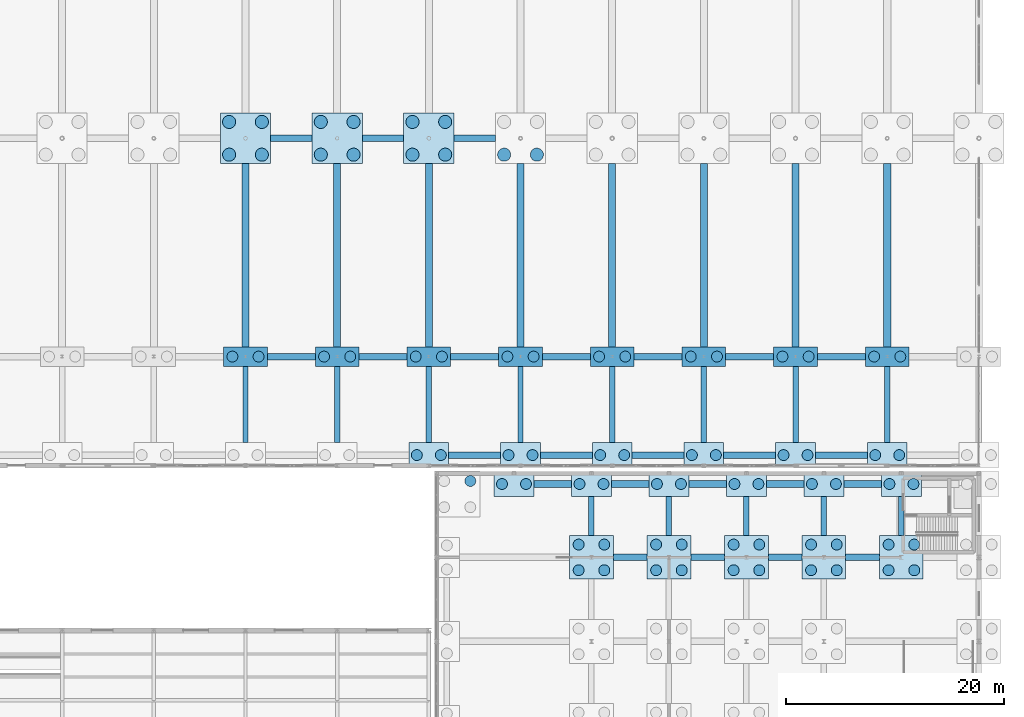
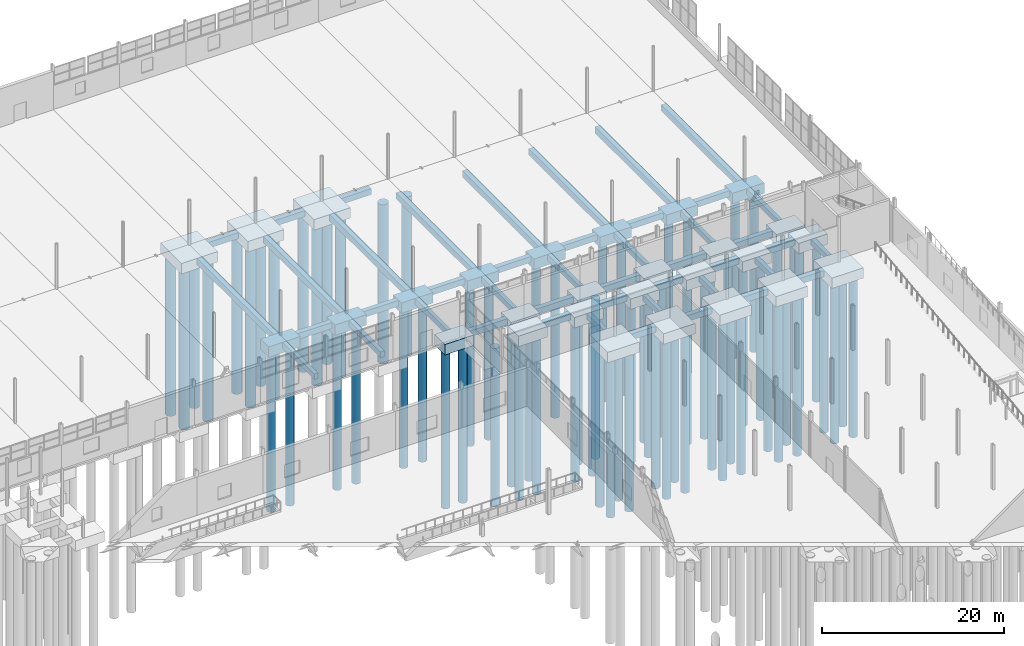
# One storey, part 9 of 139: 75 piles, 73 footings.
"""IFC4 building model written with IfcOpenShell, lengths in metres."""

from ifc_helpers import new_model, si_unit, direction, frame, origin, origin_2d, place, context, subcontext, project, spatial, polyline, rectangle, circle, outline, extrude, material, material_profile, profile_set, type_object, element, save


model = new_model("IFC4")

# Units and contexts
model_context = context("Model", 3, precision=1e-05, world=origin(), true_north=direction((0.0, 1.0)))
body_context = subcontext(model_context, "Body", "Model", "MODEL_VIEW")
ifc_project = project(units=[si_unit("LENGTHUNIT", "METRE"), si_unit("AREAUNIT", "SQUARE_METRE"), si_unit("VOLUMEUNIT", "CUBIC_METRE"), si_unit("PLANEANGLEUNIT", "RADIAN"), si_unit("MASSUNIT", "GRAM", prefix="KILO")], contexts=[model_context])

# Site, building, storey
site_placement = place(None, origin())
site = spatial("IfcSite", under=ifc_project, at=site_placement, CompositionType="ELEMENT")
building_placement = place(site_placement, origin())
building = spatial("IfcBuilding", under=site, at=building_placement, Name="Kazenagashi Tramway Depot", CompositionType="ELEMENT")
storey_placement = place(building_placement, origin())
storey = spatial("IfcBuildingStorey", under=building, at=storey_placement, Name="L01", CompositionType="ELEMENT", Elevation=0.0)

# Piles
ifc_material = material(Name="Concrete Fc30", Category="concrete")
ifc_material_profile_1 = material_profile(ifc_material, circle(Radius=0.5, at=origin_2d()), Name="PILE-1000")
ifc_profile_set_1 = profile_set([ifc_material_profile_1], Name="Concrete Fc30")
pile_type_1 = type_object("IfcPileType", Name="BP-01", PredefinedType="BORED", material=ifc_profile_set_1)
for number, where, z_axis, x_axis, name in (
    (1, (144.5, 70.975, -1.65), (0.0, 0.0, -1.0), (1.0, 0.0, 0.0), "Bored Pile BP-01 PILE-0097"),
    (2, (146.7, 70.975, -1.65), (0.0, 0.0, -1.0), (1.0, 0.0, 0.0), "Bored Pile BP-01 PILE-0098"),
    (3, (152.9, 70.975, -1.65), (0.0, 0.0, -1.0), (1.0, 0.0, 0.0), "Bored Pile BP-01 PILE-0105"),
    (4, (155.1, 70.975, -1.65), (0.0, 0.0, -1.0), (1.0, 0.0, 0.0), "Bored Pile BP-01 PILE-0106"),
    (5, (161.3, 70.975, -1.65), (0.0, 0.0, -1.0), (1.0, 0.0, 0.0), "Bored Pile BP-01 PILE-0113"),
    (6, (163.5, 70.975, -1.65), (0.0, 0.0, -1.0), (1.0, 0.0, 0.0), "Bored Pile BP-01 PILE-0114"),
    (7, (169.7, 70.975, -1.65), (0.0, 0.0, -1.0), (1.0, 0.0, 0.0), "Bored Pile BP-01 PILE-0121"),
    (8, (171.9, 70.975, -1.65), (0.0, 0.0, -1.0), (1.0, 0.0, 0.0), "Bored Pile BP-01 PILE-0122"),
    (9, (178.1, 70.975, -1.65), (0.0, 0.0, -1.0), (1.0, 0.0, 0.0), "Bored Pile BP-01 PILE-0129"),
    (10, (180.3, 70.975, -1.65), (0.0, 0.0, -1.0), (1.0, 0.0, 0.0), "Bored Pile BP-01 PILE-0130"),
    (11, (186.5, 70.975, -1.65), (0.0, 0.0, -1.0), (1.0, 0.0, 0.0), "Bored Pile BP-01 PILE-0137"),
    (12, (188.7, 70.975, -1.65), (0.0, 0.0, -1.0), (1.0, 0.0, 0.0), "Bored Pile BP-01 PILE-0138"),
    (13, (127.6, 80.0, -1.65), (0.0, 0.0, -1.0), (1.0, 0.0, 0.0), "Bored Pile BP-01 PILE-0173"),
    (14, (130.0, 80.0, -1.65), (0.0, 0.0, -1.0), (1.0, 0.0, 0.0), "Bored Pile BP-01 PILE-0174"),
    (15, (136.0, 80.0, -1.65), (0.0, 0.0, -1.0), (1.0, 0.0, 0.0), "Bored Pile BP-01 PILE-0175"),
    (16, (138.4, 80.0, -1.65), (0.0, 0.0, -1.0), (1.0, 0.0, 0.0), "Bored Pile BP-01 PILE-0176"),
    (17, (144.4, 80.0, -1.65), (0.0, 0.0, -1.0), (1.0, 0.0, 0.0), "Bored Pile BP-01 PILE-0177"),
    (18, (146.8, 80.0, -1.65), (0.0, 0.0, -1.0), (1.0, 0.0, 0.0), "Bored Pile BP-01 PILE-0178"),
    (19, (152.8, 80.0, -1.65), (0.0, 0.0, -1.0), (1.0, 0.0, 0.0), "Bored Pile BP-01 PILE-0179"),
    (20, (155.2, 80.0, -1.65), (0.0, 0.0, -1.0), (1.0, 0.0, 0.0), "Bored Pile BP-01 PILE-0180"),
    (21, (161.2, 80.0, -1.65), (0.0, 0.0, -1.0), (1.0, 0.0, 0.0), "Bored Pile BP-01 PILE-0181"),
    (22, (163.6, 80.0, -1.65), (0.0, 0.0, -1.0), (1.0, 0.0, 0.0), "Bored Pile BP-01 PILE-0182"),
    (23, (169.6, 80.0, -1.65), (0.0, 0.0, -1.0), (1.0, 0.0, 0.0), "Bored Pile BP-01 PILE-0183"),
    (24, (172.0, 80.0, -1.65), (0.0, 0.0, -1.0), (1.0, 0.0, 0.0), "Bored Pile BP-01 PILE-0184"),
    (25, (178.0, 80.0, -1.65), (0.0, 0.0, -1.0), (1.0, 0.0, 0.0), "Bored Pile BP-01 PILE-0185"),
    (26, (180.4, 80.0, -1.65), (0.0, 0.0, -1.0), (1.0, 0.0, 0.0), "Bored Pile BP-01 PILE-0186"),
    (27, (186.4, 80.0, -1.65), (0.0, 0.0, -1.0), (1.0, 0.0, 0.0), "Bored Pile BP-01 PILE-0187"),
    (28, (188.8, 80.0, -1.65), (0.0, 0.0, -1.0), (1.0, 0.0, 0.0), "Bored Pile BP-01 PILE-0188"),
):
    element("IfcPile", number, at=place(storey_placement, frame(where, z_axis=z_axis, x_axis=x_axis)), inside=storey, type_object=pile_type_1, Name=name, PredefinedType="BORED", context=body_context, shape_type="SweptSolid", body=[
        extrude(circle(Radius=0.5, at=origin_2d()), origin(), (0.0, 0.0, 1.0), 21.35),
    ])
pile_placement = place(storey_placement, frame((149.4, 68.6, -1.75), z_axis=(0.0, 0.0, -1.0), x_axis=(1.0, 0.0, 0.0)))
element("IfcPile", 29, at=pile_placement, inside=storey, type_object=pile_type_1, Name="Bored Pile BP-01 PILE-0500", PredefinedType="BORED", context=body_context, shape_type="SweptSolid", body=[
    extrude(circle(Radius=0.5, at=origin_2d()), origin(), (0.0, 0.0, 1.0), 21.25),
])
for number, where, z_axis, x_axis, name in (
    (30, (152.3, 68.325, -1.65), (0.0, 0.0, -1.0), (1.0, 0.0, 0.0), "Bored Pile BP-01 PILE-0505"),
    (31, (154.5, 68.325, -1.65), (0.0, 0.0, -1.0), (1.0, 0.0, 0.0), "Bored Pile BP-01 PILE-0506"),
    (32, (159.325, 60.425, -1.65), (0.0, 0.0, -1.0), (1.0, 0.0, 0.0), "Bored Pile BP-01 PILE-0539"),
    (33, (161.675, 60.425, -1.65), (0.0, 0.0, -1.0), (1.0, 0.0, 0.0), "Bored Pile BP-01 PILE-0540"),
    (34, (159.325, 62.775, -1.65), (0.0, 0.0, -1.0), (1.0, 0.0, 0.0), "Bored Pile BP-01 PILE-0541"),
    (35, (161.675, 62.775, -1.65), (0.0, 0.0, -1.0), (1.0, 0.0, 0.0), "Bored Pile BP-01 PILE-0542"),
    (36, (159.4, 68.325, -1.65), (0.0, 0.0, -1.0), (1.0, 0.0, 0.0), "Bored Pile BP-01 PILE-0543"),
    (37, (161.6, 68.325, -1.65), (0.0, 0.0, -1.0), (1.0, 0.0, 0.0), "Bored Pile BP-01 PILE-0544"),
    (38, (166.425, 60.425, -1.65), (0.0, 0.0, -1.0), (1.0, 0.0, 0.0), "Bored Pile BP-01 PILE-0577"),
    (39, (168.775, 60.425, -1.65), (0.0, 0.0, -1.0), (1.0, 0.0, 0.0), "Bored Pile BP-01 PILE-0578"),
    (40, (166.425, 62.775, -1.65), (0.0, 0.0, -1.0), (1.0, 0.0, 0.0), "Bored Pile BP-01 PILE-0579"),
    (41, (168.775, 62.775, -1.65), (0.0, 0.0, -1.0), (1.0, 0.0, 0.0), "Bored Pile BP-01 PILE-0580"),
    (42, (166.5, 68.325, -1.65), (0.0, 0.0, -1.0), (1.0, 0.0, 0.0), "Bored Pile BP-01 PILE-0581"),
    (43, (168.7, 68.325, -1.65), (0.0, 0.0, -1.0), (1.0, 0.0, 0.0), "Bored Pile BP-01 PILE-0582"),
    (44, (173.525, 60.425, -1.65), (0.0, 0.0, -1.0), (1.0, 0.0, 0.0), "Bored Pile BP-01 PILE-0615"),
    (45, (175.875, 60.425, -1.65), (0.0, 0.0, -1.0), (1.0, 0.0, 0.0), "Bored Pile BP-01 PILE-0616"),
    (46, (173.525, 62.775, -1.65), (0.0, 0.0, -1.0), (1.0, 0.0, 0.0), "Bored Pile BP-01 PILE-0617"),
    (47, (175.875, 62.775, -1.65), (0.0, 0.0, -1.0), (1.0, 0.0, 0.0), "Bored Pile BP-01 PILE-0618"),
    (48, (173.6, 68.325, -1.65), (0.0, 0.0, -1.0), (1.0, 0.0, 0.0), "Bored Pile BP-01 PILE-0619"),
    (49, (175.8, 68.325, -1.65), (0.0, 0.0, -1.0), (1.0, 0.0, 0.0), "Bored Pile BP-01 PILE-0620"),
    (50, (180.625, 60.425, -1.65), (0.0, 0.0, -1.0), (1.0, 0.0, 0.0), "Bored Pile BP-01 PILE-0653"),
    (51, (182.975, 60.425, -1.65), (0.0, 0.0, -1.0), (1.0, 0.0, 0.0), "Bored Pile BP-01 PILE-0654"),
    (52, (180.625, 62.775, -1.65), (0.0, 0.0, -1.0), (1.0, 0.0, 0.0), "Bored Pile BP-01 PILE-0655"),
    (53, (182.975, 62.775, -1.65), (0.0, 0.0, -1.0), (1.0, 0.0, 0.0), "Bored Pile BP-01 PILE-0656"),
    (54, (180.7, 68.325, -1.65), (0.0, 0.0, -1.0), (1.0, 0.0, 0.0), "Bored Pile BP-01 PILE-0657"),
    (55, (182.9, 68.325, -1.65), (0.0, 0.0, -1.0), (1.0, 0.0, 0.0), "Bored Pile BP-01 PILE-0658"),
    (56, (187.725, 60.425, -1.65), (0.0, 0.0, -1.0), (1.0, 0.0, 0.0), "Bored Pile BP-01 PILE-0667"),
    (57, (190.075, 60.425, -1.65), (0.0, 0.0, -1.0), (1.0, 0.0, 0.0), "Bored Pile BP-01 PILE-0668"),
    (58, (187.725, 62.775, -1.65), (0.0, 0.0, -1.0), (1.0, 0.0, 0.0), "Bored Pile BP-01 PILE-0669"),
    (59, (190.075, 62.775, -1.65), (0.0, 0.0, -1.0), (1.0, 0.0, 0.0), "Bored Pile BP-01 PILE-0670"),
    (60, (187.8, 68.325, -1.65), (0.0, 0.0, -1.0), (1.0, 0.0, 0.0), "Bored Pile BP-01 PILE-0671"),
    (61, (190.0, 68.325, -1.65), (0.0, 0.0, -1.0), (1.0, 0.0, 0.0), "Bored Pile BP-01 PILE-0672"),
):
    element("IfcPile", number, at=place(storey_placement, frame(where, z_axis=z_axis, x_axis=x_axis)), inside=storey, type_object=pile_type_1, Name=name, PredefinedType="BORED", context=body_context, shape_type="SweptSolid", body=[
        extrude(circle(Radius=0.5, at=origin_2d()), origin(), (0.0, 0.0, 1.0), 21.35),
    ])
ifc_material_profile_2 = material_profile(ifc_material, circle(Radius=0.6, at=origin_2d()), Name="PILE-1200")
ifc_profile_set_2 = profile_set([ifc_material_profile_2], Name="Concrete Fc30")
pile_type_2 = type_object("IfcPileType", Name="BP-02", PredefinedType="BORED", material=ifc_profile_set_2)
for number, where, z_axis, x_axis, name in (
    (62, (127.3, 98.5, -1.65), (0.0, 0.0, -1.0), (1.0, 0.0, 0.0), "Bored Pile BP-02 PILE-0083"),
    (63, (130.3, 98.5, -1.65), (0.0, 0.0, -1.0), (1.0, 0.0, 0.0), "Bored Pile BP-02 PILE-0084"),
    (64, (127.3, 101.5, -1.65), (0.0, 0.0, -1.0), (1.0, 0.0, 0.0), "Bored Pile BP-02 PILE-0085"),
    (65, (130.3, 101.5, -1.65), (0.0, 0.0, -1.0), (1.0, 0.0, 0.0), "Bored Pile BP-02 PILE-0086"),
    (66, (135.7, 98.5, -1.65), (0.0, 0.0, -1.0), (1.0, 0.0, 0.0), "Bored Pile BP-02 PILE-0091"),
    (67, (138.7, 98.5, -1.65), (0.0, 0.0, -1.0), (1.0, 0.0, 0.0), "Bored Pile BP-02 PILE-0092"),
    (68, (135.7, 101.5, -1.65), (0.0, 0.0, -1.0), (1.0, 0.0, 0.0), "Bored Pile BP-02 PILE-0093"),
    (69, (138.7, 101.5, -1.65), (0.0, 0.0, -1.0), (1.0, 0.0, 0.0), "Bored Pile BP-02 PILE-0094"),
    (70, (144.1, 98.5, -1.65), (0.0, 0.0, -1.0), (1.0, 0.0, 0.0), "Bored Pile BP-02 PILE-0099"),
    (71, (147.1, 98.5, -1.65), (0.0, 0.0, -1.0), (1.0, 0.0, 0.0), "Bored Pile BP-02 PILE-0100"),
    (72, (144.1, 101.5, -1.65), (0.0, 0.0, -1.0), (1.0, 0.0, 0.0), "Bored Pile BP-02 PILE-0101"),
    (73, (147.1, 101.5, -1.65), (0.0, 0.0, -1.0), (1.0, 0.0, 0.0), "Bored Pile BP-02 PILE-0102"),
    (74, (152.5, 98.5, -1.65), (0.0, 0.0, -1.0), (1.0, 0.0, 0.0), "Bored Pile BP-02 PILE-0107"),
    (75, (155.5, 98.5, -1.65), (0.0, 0.0, -1.0), (1.0, 0.0, 0.0), "Bored Pile BP-02 PILE-0108"),
):
    element("IfcPile", number, at=place(storey_placement, frame(where, z_axis=z_axis, x_axis=x_axis)), inside=storey, type_object=pile_type_2, Name=name, PredefinedType="BORED", context=body_context, shape_type="SweptSolid", body=[
        extrude(circle(Radius=0.6, at=origin_2d()), origin(), (0.0, 0.0, 1.0), 21.35),
    ])

# Footings
footing_type_1 = type_object("IfcFootingType", Name="FB-01", PredefinedType="FOOTING_BEAM", material=ifc_material)
footing_1_placement = place(storey_placement, frame((0.0, 0.0, -1.15)))
element("IfcFooting", 76, at=footing_1_placement, inside=storey, type_object=footing_type_1, Name="Footing Tie Beam FB-0124", PredefinedType="FOOTING_BEAM", context=body_context, shape_type="SweptSolid", body=[
    extrude(outline(polyline([(162.5, 61.3), (165.6, 61.3), (165.6, 61.9), (162.5, 61.9), (162.5, 61.3)])), origin(), (0.0, 0.0, 1.0), 0.8),
])
footing_2_placement = place(storey_placement, frame((0.0, 0.0, -1.15)))
element("IfcFooting", 77, at=footing_2_placement, inside=storey, type_object=footing_type_1, Name="Footing Tie Beam FB-0125", PredefinedType="FOOTING_BEAM", context=body_context, shape_type="SweptSolid", body=[
    extrude(outline(polyline([(169.6, 61.3), (172.7, 61.3), (172.7, 61.9), (169.6, 61.9), (169.6, 61.3)])), origin(), (0.0, 0.0, 1.0), 0.8),
])
footing_3_placement = place(storey_placement, frame((0.0, 0.0, -1.15)))
element("IfcFooting", 78, at=footing_3_placement, inside=storey, type_object=footing_type_1, Name="Footing Tie Beam FB-0126", PredefinedType="FOOTING_BEAM", context=body_context, shape_type="SweptSolid", body=[
    extrude(outline(polyline([(176.7, 61.3), (179.8, 61.3), (179.8, 61.9), (176.7, 61.9), (176.7, 61.3)])), origin(), (0.0, 0.0, 1.0), 0.8),
])
footing_4_placement = place(storey_placement, frame((0.0, 0.0, -1.15)))
element("IfcFooting", 79, at=footing_4_placement, inside=storey, type_object=footing_type_1, Name="Footing Tie Beam FB-0127", PredefinedType="FOOTING_BEAM", context=body_context, shape_type="SweptSolid", body=[
    extrude(outline(polyline([(183.8, 61.3), (186.9, 61.3), (186.9, 61.9), (183.8, 61.9), (183.8, 61.3)])), origin(), (0.0, 0.0, 1.0), 0.8),
])
footing_5_placement = place(storey_placement, frame((0.0, 0.0, -1.15)))
element("IfcFooting", 80, at=footing_5_placement, inside=storey, type_object=footing_type_1, Name="Footing Tie Beam FB-0137", PredefinedType="FOOTING_BEAM", context=body_context, shape_type="SweptSolid", body=[
    extrude(outline(polyline([(155.22, 68.025), (158.68, 68.025), (158.68, 68.625), (155.22, 68.625), (155.22, 68.025)])), origin(), (0.0, 0.0, 1.0), 0.8),
])
footing_6_placement = place(storey_placement, frame((0.0, 0.0, -1.15)))
element("IfcFooting", 81, at=footing_6_placement, inside=storey, type_object=footing_type_1, Name="Footing Tie Beam FB-0138", PredefinedType="FOOTING_BEAM", context=body_context, shape_type="SweptSolid", body=[
    extrude(outline(polyline([(162.32, 68.025), (165.78, 68.025), (165.78, 68.625), (162.32, 68.625), (162.32, 68.025)])), origin(), (0.0, 0.0, 1.0), 0.8),
])
footing_7_placement = place(storey_placement, frame((0.0, 0.0, -1.15)))
element("IfcFooting", 82, at=footing_7_placement, inside=storey, type_object=footing_type_1, Name="Footing Tie Beam FB-0139", PredefinedType="FOOTING_BEAM", context=body_context, shape_type="SweptSolid", body=[
    extrude(outline(polyline([(169.42, 68.025), (172.88, 68.025), (172.88, 68.625), (169.42, 68.625), (169.42, 68.025)])), origin(), (0.0, 0.0, 1.0), 0.8),
])
footing_8_placement = place(storey_placement, frame((0.0, 0.0, -1.15)))
element("IfcFooting", 83, at=footing_8_placement, inside=storey, type_object=footing_type_1, Name="Footing Tie Beam FB-0140", PredefinedType="FOOTING_BEAM", context=body_context, shape_type="SweptSolid", body=[
    extrude(outline(polyline([(176.52, 68.025), (179.98, 68.025), (179.98, 68.625), (176.52, 68.625), (176.52, 68.025)])), origin(), (0.0, 0.0, 1.0), 0.8),
])
footing_9_placement = place(storey_placement, frame((0.0, 0.0, -1.15)))
element("IfcFooting", 84, at=footing_9_placement, inside=storey, type_object=footing_type_1, Name="Footing Tie Beam FB-0141", PredefinedType="FOOTING_BEAM", context=body_context, shape_type="SweptSolid", body=[
    extrude(outline(polyline([(183.62, 68.025), (187.08, 68.025), (187.08, 68.625), (183.62, 68.625), (183.62, 68.025)])), origin(), (0.0, 0.0, 1.0), 0.8),
])
footing_10_placement = place(storey_placement, frame((0.0, 0.0, -1.15)))
element("IfcFooting", 85, at=footing_10_placement, inside=storey, type_object=footing_type_1, Name="Footing Tie Beam FB-0155", PredefinedType="FOOTING_BEAM", context=body_context, shape_type="SweptSolid", body=[
    extrude(outline(polyline([(147.42, 70.675), (152.18, 70.675), (152.18, 71.275), (147.42, 71.275), (147.42, 70.675)])), origin(), (0.0, 0.0, 1.0), 0.8),
])
footing_11_placement = place(storey_placement, frame((0.0, 0.0, -1.15)))
element("IfcFooting", 86, at=footing_11_placement, inside=storey, type_object=footing_type_1, Name="Footing Tie Beam FB-0156", PredefinedType="FOOTING_BEAM", context=body_context, shape_type="SweptSolid", body=[
    extrude(outline(polyline([(155.82, 70.675), (160.58, 70.675), (160.58, 71.275), (155.82, 71.275), (155.82, 70.675)])), origin(), (0.0, 0.0, 1.0), 0.8),
])
footing_12_placement = place(storey_placement, frame((0.0, 0.0, -1.15)))
element("IfcFooting", 87, at=footing_12_placement, inside=storey, type_object=footing_type_1, Name="Footing Tie Beam FB-0157", PredefinedType="FOOTING_BEAM", context=body_context, shape_type="SweptSolid", body=[
    extrude(outline(polyline([(164.22, 70.675), (168.98, 70.675), (168.98, 71.275), (164.22, 71.275), (164.22, 70.675)])), origin(), (0.0, 0.0, 1.0), 0.8),
])
footing_13_placement = place(storey_placement, frame((0.0, 0.0, -1.15)))
element("IfcFooting", 88, at=footing_13_placement, inside=storey, type_object=footing_type_1, Name="Footing Tie Beam FB-0158", PredefinedType="FOOTING_BEAM", context=body_context, shape_type="SweptSolid", body=[
    extrude(outline(polyline([(172.62, 70.675), (177.38, 70.675), (177.38, 71.275), (172.62, 71.275), (172.62, 70.675)])), origin(), (0.0, 0.0, 1.0), 0.8),
])
footing_14_placement = place(storey_placement, frame((0.0, 0.0, -1.15)))
element("IfcFooting", 89, at=footing_14_placement, inside=storey, type_object=footing_type_1, Name="Footing Tie Beam FB-0159", PredefinedType="FOOTING_BEAM", context=body_context, shape_type="SweptSolid", body=[
    extrude(outline(polyline([(181.02, 70.675), (185.78, 70.675), (185.78, 71.275), (181.02, 71.275), (181.02, 70.675)])), origin(), (0.0, 0.0, 1.0), 0.8),
])
footing_15_placement = place(storey_placement, frame((0.0, 0.0, -1.15)))
element("IfcFooting", 90, at=footing_15_placement, inside=storey, type_object=footing_type_1, Name="Footing Tie Beam FB-0171", PredefinedType="FOOTING_BEAM", context=body_context, shape_type="SweptSolid", body=[
    extrude(outline(polyline([(130.8, 79.7), (135.2, 79.7), (135.2, 80.3), (130.8, 80.3), (130.8, 79.7)])), origin(), (0.0, 0.0, 1.0), 0.8),
])
footing_16_placement = place(storey_placement, frame((0.0, 0.0, -1.15)))
element("IfcFooting", 91, at=footing_16_placement, inside=storey, type_object=footing_type_1, Name="Footing Tie Beam FB-0172", PredefinedType="FOOTING_BEAM", context=body_context, shape_type="SweptSolid", body=[
    extrude(outline(polyline([(139.2, 79.7), (143.6, 79.7), (143.6, 80.3), (139.2, 80.3), (139.2, 79.7)])), origin(), (0.0, 0.0, 1.0), 0.8),
])
footing_17_placement = place(storey_placement, frame((0.0, 0.0, -1.15)))
element("IfcFooting", 92, at=footing_17_placement, inside=storey, type_object=footing_type_1, Name="Footing Tie Beam FB-0173", PredefinedType="FOOTING_BEAM", context=body_context, shape_type="SweptSolid", body=[
    extrude(outline(polyline([(147.6, 79.7), (152.0, 79.7), (152.0, 80.3), (147.6, 80.3), (147.6, 79.7)])), origin(), (0.0, 0.0, 1.0), 0.8),
])
footing_18_placement = place(storey_placement, frame((0.0, 0.0, -1.15)))
element("IfcFooting", 93, at=footing_18_placement, inside=storey, type_object=footing_type_1, Name="Footing Tie Beam FB-0174", PredefinedType="FOOTING_BEAM", context=body_context, shape_type="SweptSolid", body=[
    extrude(outline(polyline([(156.0, 79.7), (160.4, 79.7), (160.4, 80.3), (156.0, 80.3), (156.0, 79.7)])), origin(), (0.0, 0.0, 1.0), 0.8),
])
footing_19_placement = place(storey_placement, frame((0.0, 0.0, -1.15)))
element("IfcFooting", 94, at=footing_19_placement, inside=storey, type_object=footing_type_1, Name="Footing Tie Beam FB-0175", PredefinedType="FOOTING_BEAM", context=body_context, shape_type="SweptSolid", body=[
    extrude(outline(polyline([(164.4, 79.7), (168.8, 79.7), (168.8, 80.3), (164.4, 80.3), (164.4, 79.7)])), origin(), (0.0, 0.0, 1.0), 0.8),
])
footing_20_placement = place(storey_placement, frame((0.0, 0.0, -1.15)))
element("IfcFooting", 95, at=footing_20_placement, inside=storey, type_object=footing_type_1, Name="Footing Tie Beam FB-0176", PredefinedType="FOOTING_BEAM", context=body_context, shape_type="SweptSolid", body=[
    extrude(outline(polyline([(172.8, 79.7), (177.2, 79.7), (177.2, 80.3), (172.8, 80.3), (172.8, 79.7)])), origin(), (0.0, 0.0, 1.0), 0.8),
])
footing_21_placement = place(storey_placement, frame((0.0, 0.0, -1.15)))
element("IfcFooting", 96, at=footing_21_placement, inside=storey, type_object=footing_type_1, Name="Footing Tie Beam FB-0177", PredefinedType="FOOTING_BEAM", context=body_context, shape_type="SweptSolid", body=[
    extrude(outline(polyline([(181.2, 79.7), (185.6, 79.7), (185.6, 80.3), (181.2, 80.3), (181.2, 79.7)])), origin(), (0.0, 0.0, 1.0), 0.8),
])
footing_22_placement = place(storey_placement, frame((0.0, 0.0, -1.15)))
element("IfcFooting", 97, at=footing_22_placement, inside=storey, type_object=footing_type_1, Name="Footing Tie Beam FB-0191", PredefinedType="FOOTING_BEAM", context=body_context, shape_type="SweptSolid", body=[
    extrude(outline(polyline([(131.1, 99.7), (134.9, 99.7), (134.9, 100.3), (131.1, 100.3), (131.1, 99.7)])), origin(), (0.0, 0.0, 1.0), 0.8),
])
footing_23_placement = place(storey_placement, frame((0.0, 0.0, -1.15)))
element("IfcFooting", 98, at=footing_23_placement, inside=storey, type_object=footing_type_1, Name="Footing Tie Beam FB-0192", PredefinedType="FOOTING_BEAM", context=body_context, shape_type="SweptSolid", body=[
    extrude(outline(polyline([(139.5, 99.7), (143.3, 99.7), (143.3, 100.3), (139.5, 100.3), (139.5, 99.7)])), origin(), (0.0, 0.0, 1.0), 0.8),
])
footing_24_placement = place(storey_placement, frame((0.0, 0.0, -1.15)))
element("IfcFooting", 99, at=footing_24_placement, inside=storey, type_object=footing_type_1, Name="Footing Tie Beam FB-0193", PredefinedType="FOOTING_BEAM", context=body_context, shape_type="SweptSolid", body=[
    extrude(outline(polyline([(147.9, 99.7), (151.7, 99.7), (151.7, 100.3), (147.9, 100.3), (147.9, 99.7)])), origin(), (0.0, 0.0, 1.0), 0.8),
])
footing_type_2 = type_object("IfcFootingType", Name="FB-03", PredefinedType="FOOTING_BEAM", material=ifc_material)
footing_25_placement = place(storey_placement, frame((0.0, 0.0, -1.1)))
element("IfcFooting", 100, at=footing_25_placement, inside=storey, type_object=footing_type_2, Name="Footing Tie Beam FB-0339", PredefinedType="FOOTING_BEAM", context=body_context, shape_type="SweptSolid", body=[
    extrude(outline(polyline([(128.55, 72.125), (129.05, 72.125), (129.05, 79.1), (128.55, 79.1), (128.55, 72.125)])), origin(), (0.0, 0.0, 1.0), 0.75),
])
footing_26_placement = place(storey_placement, frame((0.0, 0.0, -1.1)))
element("IfcFooting", 101, at=footing_26_placement, inside=storey, type_object=footing_type_2, Name="Footing Tie Beam FB-0344", PredefinedType="FOOTING_BEAM", context=body_context, shape_type="SweptSolid", body=[
    extrude(outline(polyline([(136.95, 72.125), (137.45, 72.125), (137.45, 79.1), (136.95, 79.1), (136.95, 72.125)])), origin(), (0.0, 0.0, 1.0), 0.75),
])
footing_27_placement = place(storey_placement, frame((0.0, 0.0, -1.1)))
element("IfcFooting", 102, at=footing_27_placement, inside=storey, type_object=footing_type_2, Name="Footing Tie Beam FB-0350", PredefinedType="FOOTING_BEAM", context=body_context, shape_type="SweptSolid", body=[
    extrude(outline(polyline([(145.35, 72.125), (145.85, 72.125), (145.85, 79.1), (145.35, 79.1), (145.35, 72.125)])), origin(), (0.0, 0.0, 1.0), 0.75),
])
footing_28_placement = place(storey_placement, frame((0.0, 0.0, -1.1)))
element("IfcFooting", 103, at=footing_28_placement, inside=storey, type_object=footing_type_2, Name="Footing Tie Beam FB-0361", PredefinedType="FOOTING_BEAM", context=body_context, shape_type="SweptSolid", body=[
    extrude(outline(polyline([(153.75, 72.125), (154.25, 72.125), (154.25, 79.1), (153.75, 79.1), (153.75, 72.125)])), origin(), (0.0, 0.0, 1.0), 0.75),
])
footing_29_placement = place(storey_placement, frame((0.0, 0.0, -1.1)))
element("IfcFooting", 104, at=footing_29_placement, inside=storey, type_object=footing_type_2, Name="Footing Tie Beam FB-0372", PredefinedType="FOOTING_BEAM", context=body_context, shape_type="SweptSolid", body=[
    extrude(outline(polyline([(160.25, 63.6), (160.75, 63.6), (160.75, 67.175), (160.25, 67.175), (160.25, 63.6)])), origin(), (0.0, 0.0, 1.0), 0.75),
])
footing_30_placement = place(storey_placement, frame((0.0, 0.0, -1.1)))
element("IfcFooting", 105, at=footing_30_placement, inside=storey, type_object=footing_type_2, Name="Footing Tie Beam FB-0373", PredefinedType="FOOTING_BEAM", context=body_context, shape_type="SweptSolid", body=[
    extrude(outline(polyline([(162.15, 72.125), (162.65, 72.125), (162.65, 79.1), (162.15, 79.1), (162.15, 72.125)])), origin(), (0.0, 0.0, 1.0), 0.75),
])
footing_31_placement = place(storey_placement, frame((0.0, 0.0, -1.1)))
element("IfcFooting", 106, at=footing_31_placement, inside=storey, type_object=footing_type_2, Name="Footing Tie Beam FB-0384", PredefinedType="FOOTING_BEAM", context=body_context, shape_type="SweptSolid", body=[
    extrude(outline(polyline([(167.35, 63.6), (167.85, 63.6), (167.85, 67.175), (167.35, 67.175), (167.35, 63.6)])), origin(), (0.0, 0.0, 1.0), 0.75),
])
footing_32_placement = place(storey_placement, frame((0.0, 0.0, -1.1)))
element("IfcFooting", 107, at=footing_32_placement, inside=storey, type_object=footing_type_2, Name="Footing Tie Beam FB-0385", PredefinedType="FOOTING_BEAM", context=body_context, shape_type="SweptSolid", body=[
    extrude(outline(polyline([(170.55, 72.125), (171.05, 72.125), (171.05, 79.1), (170.55, 79.1), (170.55, 72.125)])), origin(), (0.0, 0.0, 1.0), 0.75),
])
footing_33_placement = place(storey_placement, frame((0.0, 0.0, -1.1)))
element("IfcFooting", 108, at=footing_33_placement, inside=storey, type_object=footing_type_2, Name="Footing Tie Beam FB-0396", PredefinedType="FOOTING_BEAM", context=body_context, shape_type="SweptSolid", body=[
    extrude(outline(polyline([(174.45, 63.6), (174.95, 63.6), (174.95, 67.175), (174.45, 67.175), (174.45, 63.6)])), origin(), (0.0, 0.0, 1.0), 0.75),
])
footing_34_placement = place(storey_placement, frame((0.0, 0.0, -1.1)))
element("IfcFooting", 109, at=footing_34_placement, inside=storey, type_object=footing_type_2, Name="Footing Tie Beam FB-0397", PredefinedType="FOOTING_BEAM", context=body_context, shape_type="SweptSolid", body=[
    extrude(outline(polyline([(178.95, 72.125), (179.45, 72.125), (179.45, 79.1), (178.95, 79.1), (178.95, 72.125)])), origin(), (0.0, 0.0, 1.0), 0.75),
])
footing_35_placement = place(storey_placement, frame((0.0, 0.0, -1.1)))
element("IfcFooting", 110, at=footing_35_placement, inside=storey, type_object=footing_type_2, Name="Footing Tie Beam FB-0408", PredefinedType="FOOTING_BEAM", context=body_context, shape_type="SweptSolid", body=[
    extrude(outline(polyline([(181.55, 63.6), (182.05, 63.6), (182.05, 67.175), (181.55, 67.175), (181.55, 63.6)])), origin(), (0.0, 0.0, 1.0), 0.75),
])
footing_36_placement = place(storey_placement, frame((0.0, 0.0, -1.1)))
element("IfcFooting", 111, at=footing_36_placement, inside=storey, type_object=footing_type_2, Name="Footing Tie Beam FB-0409", PredefinedType="FOOTING_BEAM", context=body_context, shape_type="SweptSolid", body=[
    extrude(outline(polyline([(187.35, 72.125), (187.85, 72.125), (187.85, 79.1), (187.35, 79.1), (187.35, 72.125)])), origin(), (0.0, 0.0, 1.0), 0.75),
])
footing_37_placement = place(storey_placement, frame((0.0, 0.0, -1.1)))
element("IfcFooting", 112, at=footing_37_placement, inside=storey, type_object=footing_type_2, Name="Footing Tie Beam FB-0413", PredefinedType="FOOTING_BEAM", context=body_context, shape_type="SweptSolid", body=[
    extrude(outline(polyline([(188.65, 63.6), (189.15, 63.6), (189.15, 67.175), (188.65, 67.175), (188.65, 63.6)])), origin(), (0.0, 0.0, 1.0), 0.75),
])
footing_type_3 = type_object("IfcFootingType", Name="FB-04", PredefinedType="FOOTING_BEAM", material=ifc_material)
footing_38_placement = place(storey_placement, frame((0.0, 0.0, -1.2)))
element("IfcFooting", 113, at=footing_38_placement, inside=storey, type_object=footing_type_3, Name="Footing Tie Beam FB-0340", PredefinedType="FOOTING_BEAM", context=body_context, shape_type="SweptSolid", body=[
    extrude(outline(polyline([(128.475, 80.9), (129.125, 80.9), (129.125, 97.7), (128.475, 97.7), (128.475, 80.9)])), origin(), (0.0, 0.0, 1.0), 0.85),
])
footing_39_placement = place(storey_placement, frame((0.0, 0.0, -1.2)))
element("IfcFooting", 114, at=footing_39_placement, inside=storey, type_object=footing_type_3, Name="Footing Tie Beam FB-0345", PredefinedType="FOOTING_BEAM", context=body_context, shape_type="SweptSolid", body=[
    extrude(outline(polyline([(136.875, 80.9), (137.525, 80.9), (137.525, 97.7), (136.875, 97.7), (136.875, 80.9)])), origin(), (0.0, 0.0, 1.0), 0.85),
])
footing_40_placement = place(storey_placement, frame((0.0, 0.0, -1.2)))
element("IfcFooting", 115, at=footing_40_placement, inside=storey, type_object=footing_type_3, Name="Footing Tie Beam FB-0351", PredefinedType="FOOTING_BEAM", context=body_context, shape_type="SweptSolid", body=[
    extrude(outline(polyline([(145.275, 80.9), (145.925, 80.9), (145.925, 97.7), (145.275, 97.7), (145.275, 80.9)])), origin(), (0.0, 0.0, 1.0), 0.85),
])
footing_41_placement = place(storey_placement, frame((0.0, 0.0, -1.2)))
element("IfcFooting", 116, at=footing_41_placement, inside=storey, type_object=footing_type_3, Name="Footing Tie Beam FB-0362", PredefinedType="FOOTING_BEAM", context=body_context, shape_type="SweptSolid", body=[
    extrude(outline(polyline([(153.675, 80.9), (154.325, 80.9), (154.325, 97.7), (153.675, 97.7), (153.675, 80.9)])), origin(), (0.0, 0.0, 1.0), 0.85),
])
footing_42_placement = place(storey_placement, frame((0.0, 0.0, -1.2)))
element("IfcFooting", 117, at=footing_42_placement, inside=storey, type_object=footing_type_3, Name="Footing Tie Beam FB-0374", PredefinedType="FOOTING_BEAM", context=body_context, shape_type="SweptSolid", body=[
    extrude(outline(polyline([(162.075, 80.9), (162.725, 80.9), (162.725, 97.7), (162.075, 97.7), (162.075, 80.9)])), origin(), (0.0, 0.0, 1.0), 0.85),
])
footing_43_placement = place(storey_placement, frame((0.0, 0.0, -1.2)))
element("IfcFooting", 118, at=footing_43_placement, inside=storey, type_object=footing_type_3, Name="Footing Tie Beam FB-0386", PredefinedType="FOOTING_BEAM", context=body_context, shape_type="SweptSolid", body=[
    extrude(outline(polyline([(170.475, 80.9), (171.125, 80.9), (171.125, 97.7), (170.475, 97.7), (170.475, 80.9)])), origin(), (0.0, 0.0, 1.0), 0.85),
])
footing_44_placement = place(storey_placement, frame((0.0, 0.0, -1.2)))
element("IfcFooting", 119, at=footing_44_placement, inside=storey, type_object=footing_type_3, Name="Footing Tie Beam FB-0398", PredefinedType="FOOTING_BEAM", context=body_context, shape_type="SweptSolid", body=[
    extrude(outline(polyline([(178.875, 80.9), (179.525, 80.9), (179.525, 97.7), (178.875, 97.7), (178.875, 80.9)])), origin(), (0.0, 0.0, 1.0), 0.85),
])
footing_45_placement = place(storey_placement, frame((0.0, 0.0, -1.2)))
element("IfcFooting", 120, at=footing_45_placement, inside=storey, type_object=footing_type_3, Name="Footing Tie Beam FB-0410", PredefinedType="FOOTING_BEAM", context=body_context, shape_type="SweptSolid", body=[
    extrude(outline(polyline([(187.275, 80.9), (187.925, 80.9), (187.925, 97.7), (187.275, 97.7), (187.275, 80.9)])), origin(), (0.0, 0.0, 1.0), 0.85),
])
footing_type_4 = type_object("IfcFootingType", Name="PC-01", PredefinedType="PILE_CAP", material=ifc_material)
for number, where, z_axis, x_axis, name in (
    (121, (128.8, 80.0, -1.75), (0.0, 0.0, 1.0), (1.0, 0.0, 0.0), "Pile Cap PC-01 CAP-068"),
    (122, (137.2, 80.0, -1.75), (0.0, 0.0, 1.0), (1.0, 0.0, 0.0), "Pile Cap PC-01 CAP-069"),
    (123, (145.6, 80.0, -1.75), (0.0, 0.0, 1.0), (1.0, 0.0, 0.0), "Pile Cap PC-01 CAP-070"),
    (124, (154.0, 80.0, -1.75), (0.0, 0.0, 1.0), (1.0, 0.0, 0.0), "Pile Cap PC-01 CAP-071"),
    (125, (162.4, 80.0, -1.75), (0.0, 0.0, 1.0), (1.0, 0.0, 0.0), "Pile Cap PC-01 CAP-072"),
    (126, (170.8, 80.0, -1.75), (0.0, 0.0, 1.0), (1.0, 0.0, 0.0), "Pile Cap PC-01 CAP-073"),
    (127, (179.2, 80.0, -1.75), (0.0, 0.0, 1.0), (1.0, 0.0, 0.0), "Pile Cap PC-01 CAP-074"),
    (128, (187.6, 80.0, -1.75), (0.0, 0.0, 1.0), (1.0, 0.0, 0.0), "Pile Cap PC-01 CAP-075"),
):
    element("IfcFooting", number, at=place(storey_placement, frame(where, z_axis=z_axis, x_axis=x_axis)), inside=storey, type_object=footing_type_4, Name=name, PredefinedType="PILE_CAP", context=body_context, shape_type="SweptSolid", body=[
        extrude(rectangle(XDim=4.0, YDim=1.8, at=origin_2d()), origin(), (0.0, 0.0, 1.0), 1.4),
    ])
footing_type_5 = type_object("IfcFootingType", Name="PC-03", PredefinedType="PILE_CAP", material=ifc_material)
for number, where, z_axis, x_axis, name in (
    (129, (160.5, 61.6, -1.75), (0.0, 0.0, 1.0), (1.0, 0.0, 0.0), "Pile Cap PC-03 CAP-184"),
    (130, (167.6, 61.6, -1.75), (0.0, 0.0, 1.0), (1.0, 0.0, 0.0), "Pile Cap PC-03 CAP-194"),
    (131, (174.7, 61.6, -1.75), (0.0, 0.0, 1.0), (1.0, 0.0, 0.0), "Pile Cap PC-03 CAP-204"),
    (132, (181.8, 61.6, -1.75), (0.0, 0.0, 1.0), (1.0, 0.0, 0.0), "Pile Cap PC-03 CAP-214"),
    (133, (188.9, 61.6, -1.75), (0.0, 0.0, 1.0), (1.0, 0.0, 0.0), "Pile Cap PC-03 CAP-218"),
):
    element("IfcFooting", number, at=place(storey_placement, frame(where, z_axis=z_axis, x_axis=x_axis)), inside=storey, type_object=footing_type_5, Name=name, PredefinedType="PILE_CAP", context=body_context, shape_type="SweptSolid", body=[
        extrude(rectangle(XDim=4.0, YDim=4.0, at=origin_2d()), origin(), (0.0, 0.0, 1.0), 1.4),
    ])
footing_type_6 = type_object("IfcFootingType", Name="PC-04", PredefinedType="PILE_CAP", material=ifc_material)
for number, where, z_axis, x_axis, name in (
    (134, (128.8, 100.0, -1.75), (0.0, 0.0, 1.0), (1.0, 0.0, 0.0), "Pile Cap PC-04 CAP-032"),
    (135, (137.2, 100.0, -1.75), (0.0, 0.0, 1.0), (1.0, 0.0, 0.0), "Pile Cap PC-04 CAP-035"),
    (136, (145.6, 100.0, -1.75), (0.0, 0.0, 1.0), (1.0, 0.0, 0.0), "Pile Cap PC-04 CAP-038"),
):
    element("IfcFooting", number, at=place(storey_placement, frame(where, z_axis=z_axis, x_axis=x_axis)), inside=storey, type_object=footing_type_6, Name=name, PredefinedType="PILE_CAP", context=body_context, shape_type="SweptSolid", body=[
        extrude(rectangle(XDim=4.6, YDim=4.6, at=origin_2d()), origin(), (0.0, 0.0, 1.0), 1.4),
    ])
footing_type_7 = type_object("IfcFootingType", Name="PC-12", PredefinedType="PILE_CAP", material=ifc_material)
for number, where, z_axis, x_axis, name in (
    (137, (145.6, 70.975, -1.75), (0.0, 0.0, 1.0), (1.0, 0.0, 0.0), "Pile Cap PC-12 CAP-037"),
    (138, (154.0, 70.975, -1.75), (0.0, 0.0, 1.0), (1.0, 0.0, 0.0), "Pile Cap PC-12 CAP-040"),
    (139, (162.4, 70.975, -1.75), (0.0, 0.0, 1.0), (1.0, 0.0, 0.0), "Pile Cap PC-12 CAP-043"),
    (140, (170.8, 70.975, -1.75), (0.0, 0.0, 1.0), (1.0, 0.0, 0.0), "Pile Cap PC-12 CAP-046"),
    (141, (179.2, 70.975, -1.75), (0.0, 0.0, 1.0), (1.0, 0.0, 0.0), "Pile Cap PC-12 CAP-049"),
    (142, (187.6, 70.975, -1.75), (0.0, 0.0, 1.0), (1.0, 0.0, 0.0), "Pile Cap PC-12 CAP-052"),
    (143, (153.4, 68.325, -1.75), (0.0, 0.0, 1.0), (1.0, 0.0, 0.0), "Pile Cap PC-12 CAP-175"),
    (144, (160.5, 68.325, -1.75), (0.0, 0.0, 1.0), (1.0, 0.0, 0.0), "Pile Cap PC-12 CAP-185"),
    (145, (167.6, 68.325, -1.75), (0.0, 0.0, 1.0), (1.0, 0.0, 0.0), "Pile Cap PC-12 CAP-195"),
    (146, (174.7, 68.325, -1.75), (0.0, 0.0, 1.0), (1.0, 0.0, 0.0), "Pile Cap PC-12 CAP-205"),
    (147, (181.8, 68.325, -1.75), (0.0, 0.0, 1.0), (1.0, 0.0, 0.0), "Pile Cap PC-12 CAP-215"),
    (148, (188.9, 68.325, -1.75), (0.0, 0.0, 1.0), (1.0, 0.0, 0.0), "Pile Cap PC-12 CAP-219"),
):
    element("IfcFooting", number, at=place(storey_placement, frame(where, z_axis=z_axis, x_axis=x_axis)), inside=storey, type_object=footing_type_7, Name=name, PredefinedType="PILE_CAP", context=body_context, shape_type="SweptSolid", body=[
        extrude(rectangle(XDim=3.64, YDim=2.3, at=origin_2d()), origin(), (0.0, 0.0, 1.0), 1.4),
    ])

save(model, "model.ifc")
